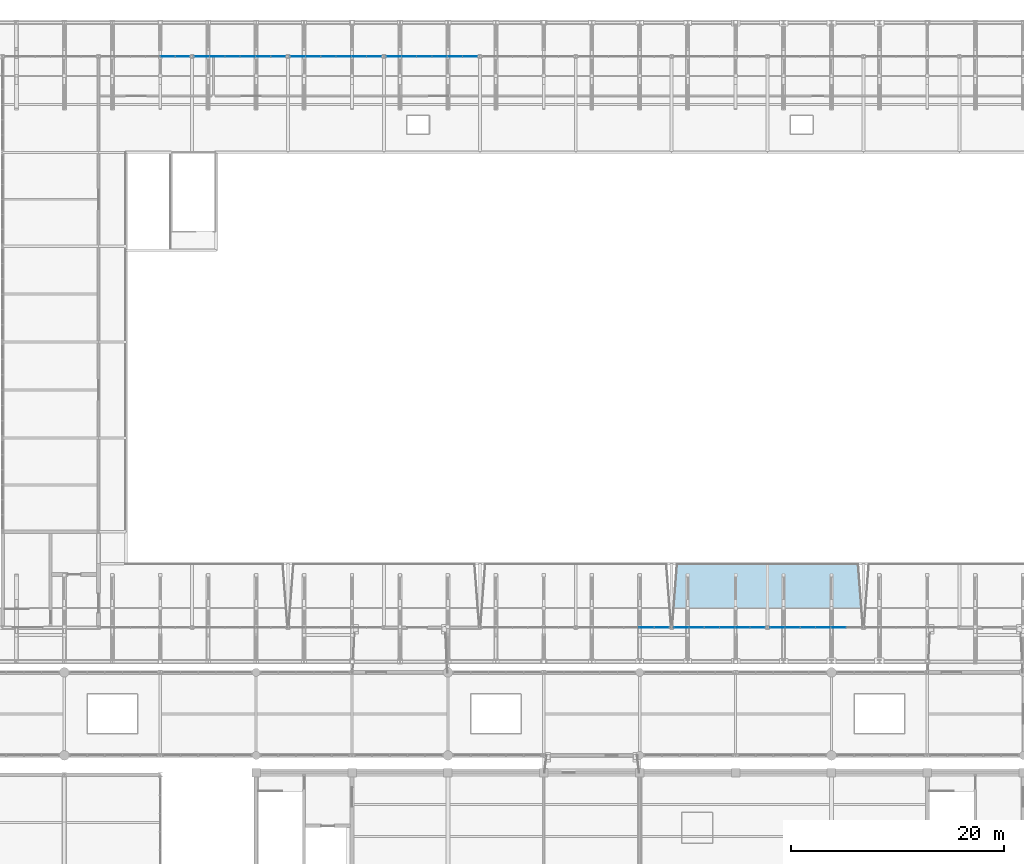
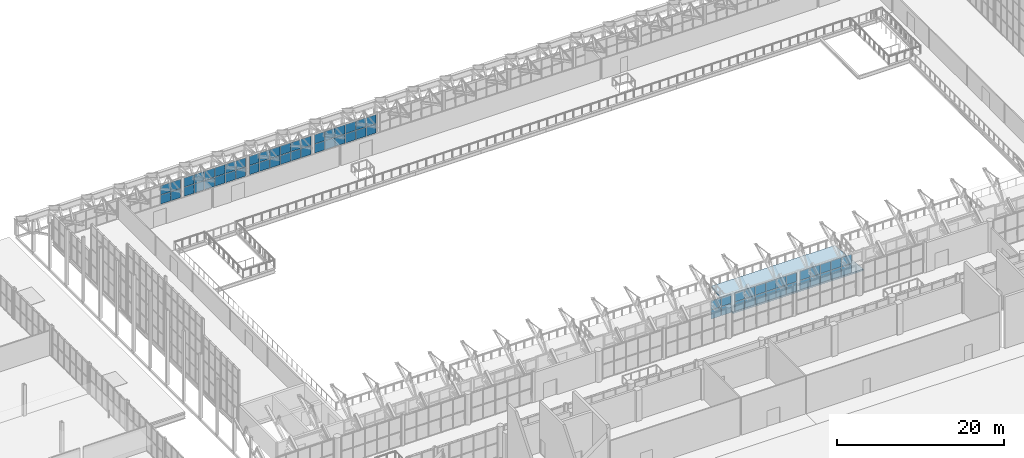
# One storey, part 99 of 134: 66 plates, 1 slab, 7 elements without a shape of their own.
"""IFC4 building model written with IfcOpenShell, lengths in metres."""

from ifc_helpers import new_model, si_unit, direction, frame, origin, origin_2d, place, context, subcontext, project, spatial, polyline, rectangle, outline, extrude, material, layer, layer_set, type_object, element, aggregate, save


model = new_model("IFC4")

# Units and contexts
model_context = context("Model", 3, precision=1e-05, world=origin(), true_north=direction((0.0, 1.0)))
body_context = subcontext(model_context, "Body", "Model", "MODEL_VIEW")
ifc_project = project(units=[si_unit("LENGTHUNIT", "METRE"), si_unit("AREAUNIT", "SQUARE_METRE"), si_unit("VOLUMEUNIT", "CUBIC_METRE"), si_unit("PLANEANGLEUNIT", "RADIAN"), si_unit("MASSUNIT", "GRAM", prefix="KILO")], contexts=[model_context])

# Site, building, storey
site_placement = place(None, origin())
site = spatial("IfcSite", under=ifc_project, at=site_placement, CompositionType="ELEMENT")
building_placement = place(site_placement, origin())
building = spatial("IfcBuilding", under=site, at=building_placement, Name="Cazmaro Siding Exhibition Halls", CompositionType="ELEMENT")
storey_placement = place(building_placement, frame((0.0, 0.0, 12.0)))
storey = spatial("IfcBuildingStorey", under=building, at=storey_placement, Name="L02", CompositionType="ELEMENT", Elevation=12.0)

# Curtain wall, plates
ifc_material_1 = material(Name="Anodized Bronze Aluminum and Solar-Control Low-E Glazing", Category="aluminium")
ifc_layer_1 = layer(ifc_material_1, 0.159912109375)
ifc_layer_set_1 = layer_set([ifc_layer_1], Name="Anodized Bronze Aluminum and Solar-Control Low-E Glazing")
curtain_wall_type = type_object("IfcCurtainWallType", Name="CWS-04", PredefinedType="USERDEFINED", material=ifc_layer_set_1)
curtain_wall_1_placement = place(storey_placement, origin())
curtain_wall_1 = element("IfcCurtainWall", 1, at=curtain_wall_1_placement, inside=storey, type_object=curtain_wall_type, Name="Clerestory Curtain Wall CWS-04 CW-007", ObjectType="CLERESTORY CURTAIN WALL", PredefinedType="USERDEFINED")
ifc_material_2 = material(Name="Solar-Control Low-E Double Insulating Glass", Category="glass")
ifc_layer_2 = layer(ifc_material_2, 0.028076171875)
ifc_layer_set_2 = layer_set([ifc_layer_2], Name="Solar-Control Low-E Double Insulating Glass")
plate_type = type_object("IfcPlateType", Name="CWP-04", PredefinedType="CURTAIN_PANEL", material=ifc_layer_set_2)
plate_1_placement = place(storey_placement, frame((65.08740234375, 120.800048828125, 0.06005859375), z_axis=(0.0, 0.0, 1.0), x_axis=(-1.0, 0.0, 0.0)))
plate_1 = element("IfcPlate", 2, at=plate_1_placement, type_object=plate_type, Name="CWS-04 panel 1.1", PredefinedType="CURTAIN_PANEL", context=body_context, shape_type="SweptSolid", body=[
    extrude(rectangle(XDim=1.31103515625, YDim=0.028076171875, at=origin_2d()), origin(), (0.0, 0.0, 1.0), 1.31005859375),
])
plate_2_placement = place(storey_placement, frame((65.08740234375, 120.800048828125, 1.429931640625), z_axis=(0.0, 0.0, 1.0), x_axis=(-1.0, 0.0, 0.0)))
plate_2 = element("IfcPlate", 3, at=plate_2_placement, type_object=plate_type, Name="CWS-04 panel 1.2", PredefinedType="CURTAIN_PANEL", context=body_context, shape_type="SweptSolid", body=[
    extrude(rectangle(XDim=1.31103515625, YDim=0.028076171875, at=origin_2d()), origin(), (0.0, 0.0, 1.0), 1.31005859375),
])
plate_3_placement = place(storey_placement, frame((63.701416015625, 120.800048828125, 0.06005859375), z_axis=(0.0, 0.0, 1.0), x_axis=(-1.0, 0.0, 0.0)))
plate_3 = element("IfcPlate", 4, at=plate_3_placement, type_object=plate_type, Name="CWS-04 panel 2.1", PredefinedType="CURTAIN_PANEL", context=body_context, shape_type="SweptSolid", body=[
    extrude(rectangle(XDim=1.341064453125, YDim=0.028076171875, at=origin_2d()), origin(), (0.0, 0.0, 1.0), 1.31005859375),
])
plate_4_placement = place(storey_placement, frame((63.701416015625, 120.800048828125, 1.429931640625), z_axis=(0.0, 0.0, 1.0), x_axis=(-1.0, 0.0, 0.0)))
plate_4 = element("IfcPlate", 5, at=plate_4_placement, type_object=plate_type, Name="CWS-04 panel 2.2", PredefinedType="CURTAIN_PANEL", context=body_context, shape_type="SweptSolid", body=[
    extrude(rectangle(XDim=1.341064453125, YDim=0.028076171875, at=origin_2d()), origin(), (0.0, 0.0, 1.0), 1.31005859375),
])
aggregate(curtain_wall_1, [plate_1, plate_2, plate_3, plate_4])

curtain_wall_2_placement = place(storey_placement, origin())
curtain_wall_2 = element("IfcCurtainWall", 6, at=curtain_wall_2_placement, inside=storey, type_object=curtain_wall_type, Name="Clerestory Curtain Wall CWS-04 CW-010", ObjectType="CLERESTORY CURTAIN WALL", PredefinedType="USERDEFINED")
plate_5_placement = place(storey_placement, frame((74.07080078125, 120.800048828125, 0.06005859375), z_axis=(0.0, 0.0, 1.0), x_axis=(-1.0, 0.0, 0.0)))
plate_5 = element("IfcPlate", 7, at=plate_5_placement, type_object=plate_type, Name="CWS-04 panel 1.1", PredefinedType="CURTAIN_PANEL", context=body_context, shape_type="SweptSolid", body=[
    extrude(rectangle(XDim=1.34423828125, YDim=0.028076171875, at=origin_2d()), origin(), (0.0, 0.0, 1.0), 1.31005859375),
])
plate_6_placement = place(storey_placement, frame((74.07080078125, 120.800048828125, 1.429931640625), z_axis=(0.0, 0.0, 1.0), x_axis=(-1.0, 0.0, 0.0)))
plate_6 = element("IfcPlate", 8, at=plate_6_placement, type_object=plate_type, Name="CWS-04 panel 1.2", PredefinedType="CURTAIN_PANEL", context=body_context, shape_type="SweptSolid", body=[
    extrude(rectangle(XDim=1.34423828125, YDim=0.028076171875, at=origin_2d()), origin(), (0.0, 0.0, 1.0), 1.31005859375),
])
plate_7_placement = place(storey_placement, frame((72.651611328125, 120.800048828125, 0.06005859375), z_axis=(0.0, 0.0, 1.0), x_axis=(-1.0, 0.0, 0.0)))
plate_7 = element("IfcPlate", 9, at=plate_7_placement, type_object=plate_type, Name="CWS-04 panel 2.1", PredefinedType="CURTAIN_PANEL", context=body_context, shape_type="SweptSolid", body=[
    extrude(rectangle(XDim=1.374267578125, YDim=0.028076171875, at=origin_2d()), origin(), (0.0, 0.0, 1.0), 1.31005859375),
])
plate_8_placement = place(storey_placement, frame((72.651611328125, 120.800048828125, 1.429931640625), z_axis=(0.0, 0.0, 1.0), x_axis=(-1.0, 0.0, 0.0)))
plate_8 = element("IfcPlate", 10, at=plate_8_placement, type_object=plate_type, Name="CWS-04 panel 2.2", PredefinedType="CURTAIN_PANEL", context=body_context, shape_type="SweptSolid", body=[
    extrude(rectangle(XDim=1.374267578125, YDim=0.028076171875, at=origin_2d()), origin(), (0.0, 0.0, 1.0), 1.31005859375),
])
plate_9_placement = place(storey_placement, frame((71.21728515625, 120.800048828125, 0.06005859375), z_axis=(0.0, 0.0, 1.0), x_axis=(-1.0, 0.0, 0.0)))
plate_9 = element("IfcPlate", 11, at=plate_9_placement, type_object=plate_type, Name="CWS-04 panel 3.1", PredefinedType="CURTAIN_PANEL", context=body_context, shape_type="SweptSolid", body=[
    extrude(rectangle(XDim=1.374267578125, YDim=0.028076171875, at=origin_2d()), origin(), (0.0, 0.0, 1.0), 1.31005859375),
])
plate_10_placement = place(storey_placement, frame((71.21728515625, 120.800048828125, 1.429931640625), z_axis=(0.0, 0.0, 1.0), x_axis=(-1.0, 0.0, 0.0)))
plate_10 = element("IfcPlate", 12, at=plate_10_placement, type_object=plate_type, Name="CWS-04 panel 3.2", PredefinedType="CURTAIN_PANEL", context=body_context, shape_type="SweptSolid", body=[
    extrude(rectangle(XDim=1.374267578125, YDim=0.028076171875, at=origin_2d()), origin(), (0.0, 0.0, 1.0), 1.31005859375),
])
plate_11_placement = place(storey_placement, frame((69.78271484375, 120.800048828125, 0.06005859375), z_axis=(0.0, 0.0, 1.0), x_axis=(-1.0, 0.0, 0.0)))
plate_11 = element("IfcPlate", 13, at=plate_11_placement, type_object=plate_type, Name="CWS-04 panel 4.1", PredefinedType="CURTAIN_PANEL", context=body_context, shape_type="SweptSolid", body=[
    extrude(rectangle(XDim=1.374267578125, YDim=0.028076171875, at=origin_2d()), origin(), (0.0, 0.0, 1.0), 1.31005859375),
])
plate_12_placement = place(storey_placement, frame((69.78271484375, 120.800048828125, 1.429931640625), z_axis=(0.0, 0.0, 1.0), x_axis=(-1.0, 0.0, 0.0)))
plate_12 = element("IfcPlate", 14, at=plate_12_placement, type_object=plate_type, Name="CWS-04 panel 4.2", PredefinedType="CURTAIN_PANEL", context=body_context, shape_type="SweptSolid", body=[
    extrude(rectangle(XDim=1.374267578125, YDim=0.028076171875, at=origin_2d()), origin(), (0.0, 0.0, 1.0), 1.31005859375),
])
plate_13_placement = place(storey_placement, frame((68.348388671875, 120.800048828125, 0.06005859375), z_axis=(0.0, 0.0, 1.0), x_axis=(-1.0, 0.0, 0.0)))
plate_13 = element("IfcPlate", 15, at=plate_13_placement, type_object=plate_type, Name="CWS-04 panel 5.1", PredefinedType="CURTAIN_PANEL", context=body_context, shape_type="SweptSolid", body=[
    extrude(rectangle(XDim=1.374267578125, YDim=0.028076171875, at=origin_2d()), origin(), (0.0, 0.0, 1.0), 1.31005859375),
])
plate_14_placement = place(storey_placement, frame((68.348388671875, 120.800048828125, 1.429931640625), z_axis=(0.0, 0.0, 1.0), x_axis=(-1.0, 0.0, 0.0)))
plate_14 = element("IfcPlate", 16, at=plate_14_placement, type_object=plate_type, Name="CWS-04 panel 5.2", PredefinedType="CURTAIN_PANEL", context=body_context, shape_type="SweptSolid", body=[
    extrude(rectangle(XDim=1.374267578125, YDim=0.028076171875, at=origin_2d()), origin(), (0.0, 0.0, 1.0), 1.31005859375),
])
plate_15_placement = place(storey_placement, frame((66.92919921875, 120.800048828125, 0.06005859375), z_axis=(0.0, 0.0, 1.0), x_axis=(-1.0, 0.0, 0.0)))
plate_15 = element("IfcPlate", 17, at=plate_15_placement, type_object=plate_type, Name="CWS-04 panel 6.1", PredefinedType="CURTAIN_PANEL", context=body_context, shape_type="SweptSolid", body=[
    extrude(rectangle(XDim=1.34423828125, YDim=0.028076171875, at=origin_2d()), origin(), (0.0, 0.0, 1.0), 1.31005859375),
])
plate_16_placement = place(storey_placement, frame((66.92919921875, 120.800048828125, 1.429931640625), z_axis=(0.0, 0.0, 1.0), x_axis=(-1.0, 0.0, 0.0)))
plate_16 = element("IfcPlate", 18, at=plate_16_placement, type_object=plate_type, Name="CWS-04 panel 6.2", PredefinedType="CURTAIN_PANEL", context=body_context, shape_type="SweptSolid", body=[
    extrude(rectangle(XDim=1.34423828125, YDim=0.028076171875, at=origin_2d()), origin(), (0.0, 0.0, 1.0), 1.31005859375),
])
aggregate(curtain_wall_2, [plate_5, plate_6, plate_7, plate_8, plate_9, plate_10, plate_11, plate_12, plate_13, plate_14, plate_15, plate_16])

curtain_wall_3_placement = place(storey_placement, origin())
curtain_wall_3 = element("IfcCurtainWall", 19, at=curtain_wall_3_placement, inside=storey, type_object=curtain_wall_type, Name="Clerestory Curtain Wall CWS-04 CW-015", ObjectType="CLERESTORY CURTAIN WALL", PredefinedType="USERDEFINED")
plate_17_placement = place(storey_placement, frame((83.07080078125, 120.800048828125, 0.06005859375), z_axis=(0.0, 0.0, 1.0), x_axis=(-1.0, 0.0, 0.0)))
plate_17 = element("IfcPlate", 20, at=plate_17_placement, type_object=plate_type, Name="CWS-04 panel 1.1", PredefinedType="CURTAIN_PANEL", context=body_context, shape_type="SweptSolid", body=[
    extrude(rectangle(XDim=1.34423828125, YDim=0.028076171875, at=origin_2d()), origin(), (0.0, 0.0, 1.0), 1.31005859375),
])
plate_18_placement = place(storey_placement, frame((83.07080078125, 120.800048828125, 1.429931640625), z_axis=(0.0, 0.0, 1.0), x_axis=(-1.0, 0.0, 0.0)))
plate_18 = element("IfcPlate", 21, at=plate_18_placement, type_object=plate_type, Name="CWS-04 panel 1.2", PredefinedType="CURTAIN_PANEL", context=body_context, shape_type="SweptSolid", body=[
    extrude(rectangle(XDim=1.34423828125, YDim=0.028076171875, at=origin_2d()), origin(), (0.0, 0.0, 1.0), 1.31005859375),
])
plate_19_placement = place(storey_placement, frame((81.651611328125, 120.800048828125, 0.06005859375), z_axis=(0.0, 0.0, 1.0), x_axis=(-1.0, 0.0, 0.0)))
plate_19 = element("IfcPlate", 22, at=plate_19_placement, type_object=plate_type, Name="CWS-04 panel 2.1", PredefinedType="CURTAIN_PANEL", context=body_context, shape_type="SweptSolid", body=[
    extrude(rectangle(XDim=1.374267578125, YDim=0.028076171875, at=origin_2d()), origin(), (0.0, 0.0, 1.0), 1.31005859375),
])
plate_20_placement = place(storey_placement, frame((81.651611328125, 120.800048828125, 1.429931640625), z_axis=(0.0, 0.0, 1.0), x_axis=(-1.0, 0.0, 0.0)))
plate_20 = element("IfcPlate", 23, at=plate_20_placement, type_object=plate_type, Name="CWS-04 panel 2.2", PredefinedType="CURTAIN_PANEL", context=body_context, shape_type="SweptSolid", body=[
    extrude(rectangle(XDim=1.374267578125, YDim=0.028076171875, at=origin_2d()), origin(), (0.0, 0.0, 1.0), 1.31005859375),
])
plate_21_placement = place(storey_placement, frame((80.21728515625, 120.800048828125, 0.06005859375), z_axis=(0.0, 0.0, 1.0), x_axis=(-1.0, 0.0, 0.0)))
plate_21 = element("IfcPlate", 24, at=plate_21_placement, type_object=plate_type, Name="CWS-04 panel 3.1", PredefinedType="CURTAIN_PANEL", context=body_context, shape_type="SweptSolid", body=[
    extrude(rectangle(XDim=1.374267578125, YDim=0.028076171875, at=origin_2d()), origin(), (0.0, 0.0, 1.0), 1.31005859375),
])
plate_22_placement = place(storey_placement, frame((80.21728515625, 120.800048828125, 1.429931640625), z_axis=(0.0, 0.0, 1.0), x_axis=(-1.0, 0.0, 0.0)))
plate_22 = element("IfcPlate", 25, at=plate_22_placement, type_object=plate_type, Name="CWS-04 panel 3.2", PredefinedType="CURTAIN_PANEL", context=body_context, shape_type="SweptSolid", body=[
    extrude(rectangle(XDim=1.374267578125, YDim=0.028076171875, at=origin_2d()), origin(), (0.0, 0.0, 1.0), 1.31005859375),
])
plate_23_placement = place(storey_placement, frame((78.78271484375, 120.800048828125, 0.06005859375), z_axis=(0.0, 0.0, 1.0), x_axis=(-1.0, 0.0, 0.0)))
plate_23 = element("IfcPlate", 26, at=plate_23_placement, type_object=plate_type, Name="CWS-04 panel 4.1", PredefinedType="CURTAIN_PANEL", context=body_context, shape_type="SweptSolid", body=[
    extrude(rectangle(XDim=1.374267578125, YDim=0.028076171875, at=origin_2d()), origin(), (0.0, 0.0, 1.0), 1.31005859375),
])
plate_24_placement = place(storey_placement, frame((78.78271484375, 120.800048828125, 1.429931640625), z_axis=(0.0, 0.0, 1.0), x_axis=(-1.0, 0.0, 0.0)))
plate_24 = element("IfcPlate", 27, at=plate_24_placement, type_object=plate_type, Name="CWS-04 panel 4.2", PredefinedType="CURTAIN_PANEL", context=body_context, shape_type="SweptSolid", body=[
    extrude(rectangle(XDim=1.374267578125, YDim=0.028076171875, at=origin_2d()), origin(), (0.0, 0.0, 1.0), 1.31005859375),
])
plate_25_placement = place(storey_placement, frame((77.348388671875, 120.800048828125, 0.06005859375), z_axis=(0.0, 0.0, 1.0), x_axis=(-1.0, 0.0, 0.0)))
plate_25 = element("IfcPlate", 28, at=plate_25_placement, type_object=plate_type, Name="CWS-04 panel 5.1", PredefinedType="CURTAIN_PANEL", context=body_context, shape_type="SweptSolid", body=[
    extrude(rectangle(XDim=1.374267578125, YDim=0.028076171875, at=origin_2d()), origin(), (0.0, 0.0, 1.0), 1.31005859375),
])
plate_26_placement = place(storey_placement, frame((77.348388671875, 120.800048828125, 1.429931640625), z_axis=(0.0, 0.0, 1.0), x_axis=(-1.0, 0.0, 0.0)))
plate_26 = element("IfcPlate", 29, at=plate_26_placement, type_object=plate_type, Name="CWS-04 panel 5.2", PredefinedType="CURTAIN_PANEL", context=body_context, shape_type="SweptSolid", body=[
    extrude(rectangle(XDim=1.374267578125, YDim=0.028076171875, at=origin_2d()), origin(), (0.0, 0.0, 1.0), 1.31005859375),
])
plate_27_placement = place(storey_placement, frame((75.92919921875, 120.800048828125, 0.06005859375), z_axis=(0.0, 0.0, 1.0), x_axis=(-1.0, 0.0, 0.0)))
plate_27 = element("IfcPlate", 30, at=plate_27_placement, type_object=plate_type, Name="CWS-04 panel 6.1", PredefinedType="CURTAIN_PANEL", context=body_context, shape_type="SweptSolid", body=[
    extrude(rectangle(XDim=1.34423828125, YDim=0.028076171875, at=origin_2d()), origin(), (0.0, 0.0, 1.0), 1.31005859375),
])
plate_28_placement = place(storey_placement, frame((75.92919921875, 120.800048828125, 1.429931640625), z_axis=(0.0, 0.0, 1.0), x_axis=(-1.0, 0.0, 0.0)))
plate_28 = element("IfcPlate", 31, at=plate_28_placement, type_object=plate_type, Name="CWS-04 panel 6.2", PredefinedType="CURTAIN_PANEL", context=body_context, shape_type="SweptSolid", body=[
    extrude(rectangle(XDim=1.34423828125, YDim=0.028076171875, at=origin_2d()), origin(), (0.0, 0.0, 1.0), 1.31005859375),
])
aggregate(curtain_wall_3, [plate_17, plate_18, plate_19, plate_20, plate_21, plate_22, plate_23, plate_24, plate_25, plate_26, plate_27, plate_28])

curtain_wall_4_placement = place(storey_placement, origin())
curtain_wall_4 = element("IfcCurtainWall", 32, at=curtain_wall_4_placement, inside=storey, type_object=curtain_wall_type, Name="Clerestory Curtain Wall CWS-04 CW-018", ObjectType="CLERESTORY CURTAIN WALL", PredefinedType="USERDEFINED")
plate_29_placement = place(storey_placement, frame((92.07080078125, 120.800048828125, 0.06005859375), z_axis=(0.0, 0.0, 1.0), x_axis=(-1.0, 0.0, 0.0)))
plate_29 = element("IfcPlate", 33, at=plate_29_placement, type_object=plate_type, Name="CWS-04 panel 1.1", PredefinedType="CURTAIN_PANEL", context=body_context, shape_type="SweptSolid", body=[
    extrude(rectangle(XDim=1.34423828125, YDim=0.028076171875, at=origin_2d()), origin(), (0.0, 0.0, 1.0), 1.31005859375),
])
plate_30_placement = place(storey_placement, frame((92.07080078125, 120.800048828125, 1.429931640625), z_axis=(0.0, 0.0, 1.0), x_axis=(-1.0, 0.0, 0.0)))
plate_30 = element("IfcPlate", 34, at=plate_30_placement, type_object=plate_type, Name="CWS-04 panel 1.2", PredefinedType="CURTAIN_PANEL", context=body_context, shape_type="SweptSolid", body=[
    extrude(rectangle(XDim=1.34423828125, YDim=0.028076171875, at=origin_2d()), origin(), (0.0, 0.0, 1.0), 1.31005859375),
])
plate_31_placement = place(storey_placement, frame((90.651611328125, 120.800048828125, 0.06005859375), z_axis=(0.0, 0.0, 1.0), x_axis=(-1.0, 0.0, 0.0)))
plate_31 = element("IfcPlate", 35, at=plate_31_placement, type_object=plate_type, Name="CWS-04 panel 2.1", PredefinedType="CURTAIN_PANEL", context=body_context, shape_type="SweptSolid", body=[
    extrude(rectangle(XDim=1.374267578125, YDim=0.028076171875, at=origin_2d()), origin(), (0.0, 0.0, 1.0), 1.31005859375),
])
plate_32_placement = place(storey_placement, frame((90.651611328125, 120.800048828125, 1.429931640625), z_axis=(0.0, 0.0, 1.0), x_axis=(-1.0, 0.0, 0.0)))
plate_32 = element("IfcPlate", 36, at=plate_32_placement, type_object=plate_type, Name="CWS-04 panel 2.2", PredefinedType="CURTAIN_PANEL", context=body_context, shape_type="SweptSolid", body=[
    extrude(rectangle(XDim=1.374267578125, YDim=0.028076171875, at=origin_2d()), origin(), (0.0, 0.0, 1.0), 1.31005859375),
])
plate_33_placement = place(storey_placement, frame((89.21728515625, 120.800048828125, 0.06005859375), z_axis=(0.0, 0.0, 1.0), x_axis=(-1.0, 0.0, 0.0)))
plate_33 = element("IfcPlate", 37, at=plate_33_placement, type_object=plate_type, Name="CWS-04 panel 3.1", PredefinedType="CURTAIN_PANEL", context=body_context, shape_type="SweptSolid", body=[
    extrude(rectangle(XDim=1.374267578125, YDim=0.028076171875, at=origin_2d()), origin(), (0.0, 0.0, 1.0), 1.31005859375),
])
plate_34_placement = place(storey_placement, frame((89.21728515625, 120.800048828125, 1.429931640625), z_axis=(0.0, 0.0, 1.0), x_axis=(-1.0, 0.0, 0.0)))
plate_34 = element("IfcPlate", 38, at=plate_34_placement, type_object=plate_type, Name="CWS-04 panel 3.2", PredefinedType="CURTAIN_PANEL", context=body_context, shape_type="SweptSolid", body=[
    extrude(rectangle(XDim=1.374267578125, YDim=0.028076171875, at=origin_2d()), origin(), (0.0, 0.0, 1.0), 1.31005859375),
])
plate_35_placement = place(storey_placement, frame((87.78271484375, 120.800048828125, 0.06005859375), z_axis=(0.0, 0.0, 1.0), x_axis=(-1.0, 0.0, 0.0)))
plate_35 = element("IfcPlate", 39, at=plate_35_placement, type_object=plate_type, Name="CWS-04 panel 4.1", PredefinedType="CURTAIN_PANEL", context=body_context, shape_type="SweptSolid", body=[
    extrude(rectangle(XDim=1.374267578125, YDim=0.028076171875, at=origin_2d()), origin(), (0.0, 0.0, 1.0), 1.31005859375),
])
plate_36_placement = place(storey_placement, frame((87.78271484375, 120.800048828125, 1.429931640625), z_axis=(0.0, 0.0, 1.0), x_axis=(-1.0, 0.0, 0.0)))
plate_36 = element("IfcPlate", 40, at=plate_36_placement, type_object=plate_type, Name="CWS-04 panel 4.2", PredefinedType="CURTAIN_PANEL", context=body_context, shape_type="SweptSolid", body=[
    extrude(rectangle(XDim=1.374267578125, YDim=0.028076171875, at=origin_2d()), origin(), (0.0, 0.0, 1.0), 1.31005859375),
])
plate_37_placement = place(storey_placement, frame((86.348388671875, 120.800048828125, 0.06005859375), z_axis=(0.0, 0.0, 1.0), x_axis=(-1.0, 0.0, 0.0)))
plate_37 = element("IfcPlate", 41, at=plate_37_placement, type_object=plate_type, Name="CWS-04 panel 5.1", PredefinedType="CURTAIN_PANEL", context=body_context, shape_type="SweptSolid", body=[
    extrude(rectangle(XDim=1.374267578125, YDim=0.028076171875, at=origin_2d()), origin(), (0.0, 0.0, 1.0), 1.31005859375),
])
plate_38_placement = place(storey_placement, frame((86.348388671875, 120.800048828125, 1.429931640625), z_axis=(0.0, 0.0, 1.0), x_axis=(-1.0, 0.0, 0.0)))
plate_38 = element("IfcPlate", 42, at=plate_38_placement, type_object=plate_type, Name="CWS-04 panel 5.2", PredefinedType="CURTAIN_PANEL", context=body_context, shape_type="SweptSolid", body=[
    extrude(rectangle(XDim=1.374267578125, YDim=0.028076171875, at=origin_2d()), origin(), (0.0, 0.0, 1.0), 1.31005859375),
])
plate_39_placement = place(storey_placement, frame((84.92919921875, 120.800048828125, 0.06005859375), z_axis=(0.0, 0.0, 1.0), x_axis=(-1.0, 0.0, 0.0)))
plate_39 = element("IfcPlate", 43, at=plate_39_placement, type_object=plate_type, Name="CWS-04 panel 6.1", PredefinedType="CURTAIN_PANEL", context=body_context, shape_type="SweptSolid", body=[
    extrude(rectangle(XDim=1.34423828125, YDim=0.028076171875, at=origin_2d()), origin(), (0.0, 0.0, 1.0), 1.31005859375),
])
plate_40_placement = place(storey_placement, frame((84.92919921875, 120.800048828125, 1.429931640625), z_axis=(0.0, 0.0, 1.0), x_axis=(-1.0, 0.0, 0.0)))
plate_40 = element("IfcPlate", 44, at=plate_40_placement, type_object=plate_type, Name="CWS-04 panel 6.2", PredefinedType="CURTAIN_PANEL", context=body_context, shape_type="SweptSolid", body=[
    extrude(rectangle(XDim=1.34423828125, YDim=0.028076171875, at=origin_2d()), origin(), (0.0, 0.0, 1.0), 1.31005859375),
])
aggregate(curtain_wall_4, [plate_29, plate_30, plate_31, plate_32, plate_33, plate_34, plate_35, plate_36, plate_37, plate_38, plate_39, plate_40])

curtain_wall_5_placement = place(storey_placement, origin())
curtain_wall_5 = element("IfcCurtainWall", 45, at=curtain_wall_5_placement, inside=storey, type_object=curtain_wall_type, Name="Clerestory Curtain Wall CWS-04 CW-024", ObjectType="CLERESTORY CURTAIN WALL", PredefinedType="USERDEFINED")
plate_41_placement = place(storey_placement, frame((108.651611328125, 67.199951171875, 0.06005859375), z_axis=(0.0, 0.0, 1.0), x_axis=(1.0, 0.0, 0.0)))
plate_41 = element("IfcPlate", 46, at=plate_41_placement, type_object=plate_type, Name="CWS-04 panel 5.1", PredefinedType="CURTAIN_PANEL", context=body_context, shape_type="SweptSolid", body=[
    extrude(rectangle(XDim=1.374267578125, YDim=0.028076171875, at=origin_2d()), origin(), (0.0, 0.0, 1.0), 1.31005859375),
])
plate_42_placement = place(storey_placement, frame((108.651611328125, 67.199951171875, 1.429931640625), z_axis=(0.0, 0.0, 1.0), x_axis=(1.0, 0.0, 0.0)))
plate_42 = element("IfcPlate", 47, at=plate_42_placement, type_object=plate_type, Name="CWS-04 panel 5.2", PredefinedType="CURTAIN_PANEL", context=body_context, shape_type="SweptSolid", body=[
    extrude(rectangle(XDim=1.374267578125, YDim=0.028076171875, at=origin_2d()), origin(), (0.0, 0.0, 1.0), 1.31005859375),
])
plate_43_placement = place(storey_placement, frame((110.07080078125, 67.199951171875, 0.06005859375), z_axis=(0.0, 0.0, 1.0), x_axis=(1.0, 0.0, 0.0)))
plate_43 = element("IfcPlate", 48, at=plate_43_placement, type_object=plate_type, Name="CWS-04 panel 6.1", PredefinedType="CURTAIN_PANEL", context=body_context, shape_type="SweptSolid", body=[
    extrude(rectangle(XDim=1.34423828125, YDim=0.028076171875, at=origin_2d()), origin(), (0.0, 0.0, 1.0), 1.31005859375),
])
plate_44_placement = place(storey_placement, frame((110.07080078125, 67.199951171875, 1.429931640625), z_axis=(0.0, 0.0, 1.0), x_axis=(1.0, 0.0, 0.0)))
plate_44 = element("IfcPlate", 49, at=plate_44_placement, type_object=plate_type, Name="CWS-04 panel 6.2", PredefinedType="CURTAIN_PANEL", context=body_context, shape_type="SweptSolid", body=[
    extrude(rectangle(XDim=1.34423828125, YDim=0.028076171875, at=origin_2d()), origin(), (0.0, 0.0, 1.0), 1.31005859375),
])
aggregate(curtain_wall_5, [plate_41, plate_42, plate_43, plate_44])

curtain_wall_6_placement = place(storey_placement, origin())
curtain_wall_6 = element("IfcCurtainWall", 50, at=curtain_wall_6_placement, inside=storey, type_object=curtain_wall_type, Name="Clerestory Curtain Wall CWS-04 CW-029", ObjectType="CLERESTORY CURTAIN WALL", PredefinedType="USERDEFINED")
plate_45_placement = place(storey_placement, frame((111.92919921875, 67.199951171875, 0.06005859375), z_axis=(0.0, 0.0, 1.0), x_axis=(1.0, 0.0, 0.0)))
plate_45 = element("IfcPlate", 51, at=plate_45_placement, type_object=plate_type, Name="CWS-04 panel 1.1", PredefinedType="CURTAIN_PANEL", context=body_context, shape_type="SweptSolid", body=[
    extrude(rectangle(XDim=1.34423828125, YDim=0.028076171875, at=origin_2d()), origin(), (0.0, 0.0, 1.0), 1.31005859375),
])
plate_46_placement = place(storey_placement, frame((111.92919921875, 67.199951171875, 1.429931640625), z_axis=(0.0, 0.0, 1.0), x_axis=(1.0, 0.0, 0.0)))
plate_46 = element("IfcPlate", 52, at=plate_46_placement, type_object=plate_type, Name="CWS-04 panel 1.2", PredefinedType="CURTAIN_PANEL", context=body_context, shape_type="SweptSolid", body=[
    extrude(rectangle(XDim=1.34423828125, YDim=0.028076171875, at=origin_2d()), origin(), (0.0, 0.0, 1.0), 1.31005859375),
])
plate_47_placement = place(storey_placement, frame((113.348388671875, 67.199951171875, 0.06005859375), z_axis=(0.0, 0.0, 1.0), x_axis=(1.0, 0.0, 0.0)))
plate_47 = element("IfcPlate", 53, at=plate_47_placement, type_object=plate_type, Name="CWS-04 panel 2.1", PredefinedType="CURTAIN_PANEL", context=body_context, shape_type="SweptSolid", body=[
    extrude(rectangle(XDim=1.374267578125, YDim=0.028076171875, at=origin_2d()), origin(), (0.0, 0.0, 1.0), 1.31005859375),
])
plate_48_placement = place(storey_placement, frame((113.348388671875, 67.199951171875, 1.429931640625), z_axis=(0.0, 0.0, 1.0), x_axis=(1.0, 0.0, 0.0)))
plate_48 = element("IfcPlate", 54, at=plate_48_placement, type_object=plate_type, Name="CWS-04 panel 2.2", PredefinedType="CURTAIN_PANEL", context=body_context, shape_type="SweptSolid", body=[
    extrude(rectangle(XDim=1.374267578125, YDim=0.028076171875, at=origin_2d()), origin(), (0.0, 0.0, 1.0), 1.31005859375),
])
plate_49_placement = place(storey_placement, frame((114.78271484375, 67.199951171875, 0.06005859375), z_axis=(0.0, 0.0, 1.0), x_axis=(1.0, 0.0, 0.0)))
plate_49 = element("IfcPlate", 55, at=plate_49_placement, type_object=plate_type, Name="CWS-04 panel 3.1", PredefinedType="CURTAIN_PANEL", context=body_context, shape_type="SweptSolid", body=[
    extrude(rectangle(XDim=1.374267578125, YDim=0.028076171875, at=origin_2d()), origin(), (0.0, 0.0, 1.0), 1.31005859375),
])
plate_50_placement = place(storey_placement, frame((114.78271484375, 67.199951171875, 1.429931640625), z_axis=(0.0, 0.0, 1.0), x_axis=(1.0, 0.0, 0.0)))
plate_50 = element("IfcPlate", 56, at=plate_50_placement, type_object=plate_type, Name="CWS-04 panel 3.2", PredefinedType="CURTAIN_PANEL", context=body_context, shape_type="SweptSolid", body=[
    extrude(rectangle(XDim=1.374267578125, YDim=0.028076171875, at=origin_2d()), origin(), (0.0, 0.0, 1.0), 1.31005859375),
])
plate_51_placement = place(storey_placement, frame((116.21728515625, 67.199951171875, 0.06005859375), z_axis=(0.0, 0.0, 1.0), x_axis=(1.0, 0.0, 0.0)))
plate_51 = element("IfcPlate", 57, at=plate_51_placement, type_object=plate_type, Name="CWS-04 panel 4.1", PredefinedType="CURTAIN_PANEL", context=body_context, shape_type="SweptSolid", body=[
    extrude(rectangle(XDim=1.374267578125, YDim=0.028076171875, at=origin_2d()), origin(), (0.0, 0.0, 1.0), 1.31005859375),
])
plate_52_placement = place(storey_placement, frame((116.21728515625, 67.199951171875, 1.429931640625), z_axis=(0.0, 0.0, 1.0), x_axis=(1.0, 0.0, 0.0)))
plate_52 = element("IfcPlate", 58, at=plate_52_placement, type_object=plate_type, Name="CWS-04 panel 4.2", PredefinedType="CURTAIN_PANEL", context=body_context, shape_type="SweptSolid", body=[
    extrude(rectangle(XDim=1.374267578125, YDim=0.028076171875, at=origin_2d()), origin(), (0.0, 0.0, 1.0), 1.31005859375),
])
plate_53_placement = place(storey_placement, frame((117.651611328125, 67.199951171875, 0.06005859375), z_axis=(0.0, 0.0, 1.0), x_axis=(1.0, 0.0, 0.0)))
plate_53 = element("IfcPlate", 59, at=plate_53_placement, type_object=plate_type, Name="CWS-04 panel 5.1", PredefinedType="CURTAIN_PANEL", context=body_context, shape_type="SweptSolid", body=[
    extrude(rectangle(XDim=1.374267578125, YDim=0.028076171875, at=origin_2d()), origin(), (0.0, 0.0, 1.0), 1.31005859375),
])
plate_54_placement = place(storey_placement, frame((117.651611328125, 67.199951171875, 1.429931640625), z_axis=(0.0, 0.0, 1.0), x_axis=(1.0, 0.0, 0.0)))
plate_54 = element("IfcPlate", 60, at=plate_54_placement, type_object=plate_type, Name="CWS-04 panel 5.2", PredefinedType="CURTAIN_PANEL", context=body_context, shape_type="SweptSolid", body=[
    extrude(rectangle(XDim=1.374267578125, YDim=0.028076171875, at=origin_2d()), origin(), (0.0, 0.0, 1.0), 1.31005859375),
])
plate_55_placement = place(storey_placement, frame((119.07080078125, 67.199951171875, 0.06005859375), z_axis=(0.0, 0.0, 1.0), x_axis=(1.0, 0.0, 0.0)))
plate_55 = element("IfcPlate", 61, at=plate_55_placement, type_object=plate_type, Name="CWS-04 panel 6.1", PredefinedType="CURTAIN_PANEL", context=body_context, shape_type="SweptSolid", body=[
    extrude(rectangle(XDim=1.34423828125, YDim=0.028076171875, at=origin_2d()), origin(), (0.0, 0.0, 1.0), 1.31005859375),
])
plate_56_placement = place(storey_placement, frame((119.07080078125, 67.199951171875, 1.429931640625), z_axis=(0.0, 0.0, 1.0), x_axis=(1.0, 0.0, 0.0)))
plate_56 = element("IfcPlate", 62, at=plate_56_placement, type_object=plate_type, Name="CWS-04 panel 6.2", PredefinedType="CURTAIN_PANEL", context=body_context, shape_type="SweptSolid", body=[
    extrude(rectangle(XDim=1.34423828125, YDim=0.028076171875, at=origin_2d()), origin(), (0.0, 0.0, 1.0), 1.31005859375),
])
aggregate(curtain_wall_6, [plate_45, plate_46, plate_47, plate_48, plate_49, plate_50, plate_51, plate_52, plate_53, plate_54, plate_55, plate_56])

curtain_wall_7_placement = place(storey_placement, origin())
curtain_wall_7 = element("IfcCurtainWall", 63, at=curtain_wall_7_placement, inside=storey, type_object=curtain_wall_type, Name="Clerestory Curtain Wall CWS-04 CW-032", ObjectType="CLERESTORY CURTAIN WALL", PredefinedType="USERDEFINED")
plate_57_placement = place(storey_placement, frame((120.92919921875, 67.199951171875, 0.06005859375), z_axis=(0.0, 0.0, 1.0), x_axis=(1.0, 0.0, 0.0)))
plate_57 = element("IfcPlate", 64, at=plate_57_placement, type_object=plate_type, Name="CWS-04 panel 1.1", PredefinedType="CURTAIN_PANEL", context=body_context, shape_type="SweptSolid", body=[
    extrude(rectangle(XDim=1.34423828125, YDim=0.028076171875, at=origin_2d()), origin(), (0.0, 0.0, 1.0), 1.31005859375),
])
plate_58_placement = place(storey_placement, frame((120.92919921875, 67.199951171875, 1.429931640625), z_axis=(0.0, 0.0, 1.0), x_axis=(1.0, 0.0, 0.0)))
plate_58 = element("IfcPlate", 65, at=plate_58_placement, type_object=plate_type, Name="CWS-04 panel 1.2", PredefinedType="CURTAIN_PANEL", context=body_context, shape_type="SweptSolid", body=[
    extrude(rectangle(XDim=1.34423828125, YDim=0.028076171875, at=origin_2d()), origin(), (0.0, 0.0, 1.0), 1.31005859375),
])
plate_59_placement = place(storey_placement, frame((122.348388671875, 67.199951171875, 0.06005859375), z_axis=(0.0, 0.0, 1.0), x_axis=(1.0, 0.0, 0.0)))
plate_59 = element("IfcPlate", 66, at=plate_59_placement, type_object=plate_type, Name="CWS-04 panel 2.1", PredefinedType="CURTAIN_PANEL", context=body_context, shape_type="SweptSolid", body=[
    extrude(rectangle(XDim=1.374267578125, YDim=0.028076171875, at=origin_2d()), origin(), (0.0, 0.0, 1.0), 1.31005859375),
])
plate_60_placement = place(storey_placement, frame((122.348388671875, 67.199951171875, 1.429931640625), z_axis=(0.0, 0.0, 1.0), x_axis=(1.0, 0.0, 0.0)))
plate_60 = element("IfcPlate", 67, at=plate_60_placement, type_object=plate_type, Name="CWS-04 panel 2.2", PredefinedType="CURTAIN_PANEL", context=body_context, shape_type="SweptSolid", body=[
    extrude(rectangle(XDim=1.374267578125, YDim=0.028076171875, at=origin_2d()), origin(), (0.0, 0.0, 1.0), 1.31005859375),
])
plate_61_placement = place(storey_placement, frame((123.78271484375, 67.199951171875, 0.06005859375), z_axis=(0.0, 0.0, 1.0), x_axis=(1.0, 0.0, 0.0)))
plate_61 = element("IfcPlate", 68, at=plate_61_placement, type_object=plate_type, Name="CWS-04 panel 3.1", PredefinedType="CURTAIN_PANEL", context=body_context, shape_type="SweptSolid", body=[
    extrude(rectangle(XDim=1.374267578125, YDim=0.028076171875, at=origin_2d()), origin(), (0.0, 0.0, 1.0), 1.31005859375),
])
plate_62_placement = place(storey_placement, frame((123.78271484375, 67.199951171875, 1.429931640625), z_axis=(0.0, 0.0, 1.0), x_axis=(1.0, 0.0, 0.0)))
plate_62 = element("IfcPlate", 69, at=plate_62_placement, type_object=plate_type, Name="CWS-04 panel 3.2", PredefinedType="CURTAIN_PANEL", context=body_context, shape_type="SweptSolid", body=[
    extrude(rectangle(XDim=1.374267578125, YDim=0.028076171875, at=origin_2d()), origin(), (0.0, 0.0, 1.0), 1.31005859375),
])
plate_63_placement = place(storey_placement, frame((125.21728515625, 67.199951171875, 0.06005859375), z_axis=(0.0, 0.0, 1.0), x_axis=(1.0, 0.0, 0.0)))
plate_63 = element("IfcPlate", 70, at=plate_63_placement, type_object=plate_type, Name="CWS-04 panel 4.1", PredefinedType="CURTAIN_PANEL", context=body_context, shape_type="SweptSolid", body=[
    extrude(rectangle(XDim=1.374267578125, YDim=0.028076171875, at=origin_2d()), origin(), (0.0, 0.0, 1.0), 1.31005859375),
])
plate_64_placement = place(storey_placement, frame((125.21728515625, 67.199951171875, 1.429931640625), z_axis=(0.0, 0.0, 1.0), x_axis=(1.0, 0.0, 0.0)))
plate_64 = element("IfcPlate", 71, at=plate_64_placement, type_object=plate_type, Name="CWS-04 panel 4.2", PredefinedType="CURTAIN_PANEL", context=body_context, shape_type="SweptSolid", body=[
    extrude(rectangle(XDim=1.374267578125, YDim=0.028076171875, at=origin_2d()), origin(), (0.0, 0.0, 1.0), 1.31005859375),
])
plate_65_placement = place(storey_placement, frame((126.651611328125, 67.199951171875, 0.06005859375), z_axis=(0.0, 0.0, 1.0), x_axis=(1.0, 0.0, 0.0)))
plate_65 = element("IfcPlate", 72, at=plate_65_placement, type_object=plate_type, Name="CWS-04 panel 5.1", PredefinedType="CURTAIN_PANEL", context=body_context, shape_type="SweptSolid", body=[
    extrude(rectangle(XDim=1.374267578125, YDim=0.028076171875, at=origin_2d()), origin(), (0.0, 0.0, 1.0), 1.31005859375),
])
plate_66_placement = place(storey_placement, frame((126.651611328125, 67.199951171875, 1.429931640625), z_axis=(0.0, 0.0, 1.0), x_axis=(1.0, 0.0, 0.0)))
plate_66 = element("IfcPlate", 73, at=plate_66_placement, type_object=plate_type, Name="CWS-04 panel 5.2", PredefinedType="CURTAIN_PANEL", context=body_context, shape_type="SweptSolid", body=[
    extrude(rectangle(XDim=1.374267578125, YDim=0.028076171875, at=origin_2d()), origin(), (0.0, 0.0, 1.0), 1.31005859375),
])
aggregate(curtain_wall_7, [plate_57, plate_58, plate_59, plate_60, plate_61, plate_62, plate_63, plate_64, plate_65, plate_66])

# Slab
ifc_material_3 = material(Name="Concrete f'c 35 MPa", Category="concrete")
ifc_layer_3 = layer(ifc_material_3, 0.219970703125)
ifc_layer_set_3 = layer_set([ifc_layer_3], Name="Concrete f'c 35 MPa")
slab_type = type_object("IfcSlabType", Name="FS-01", PredefinedType="FLOOR", material=ifc_layer_set_3)
slab_placement = place(storey_placement, frame((0.0, 0.0, -0.219970703125)))
element("IfcSlab", 74, at=slab_placement, inside=storey, type_object=slab_type, Name="Hall A South Exhibitor Gallery Bay 10 L02 FS-01 SLB-0099", PredefinedType="FLOOR", context=body_context, shape_type="SweptSolid", body=[
    extrude(outline(polyline([(111.0, 67.199951171875), (129.0, 67.199951171875), (128.5, 73.199951171875), (111.5, 73.199951171875), (111.0, 67.199951171875)])), origin(), (0.0, 0.0, 1.0), 0.219970703125),
])

save(model, "model.ifc")
